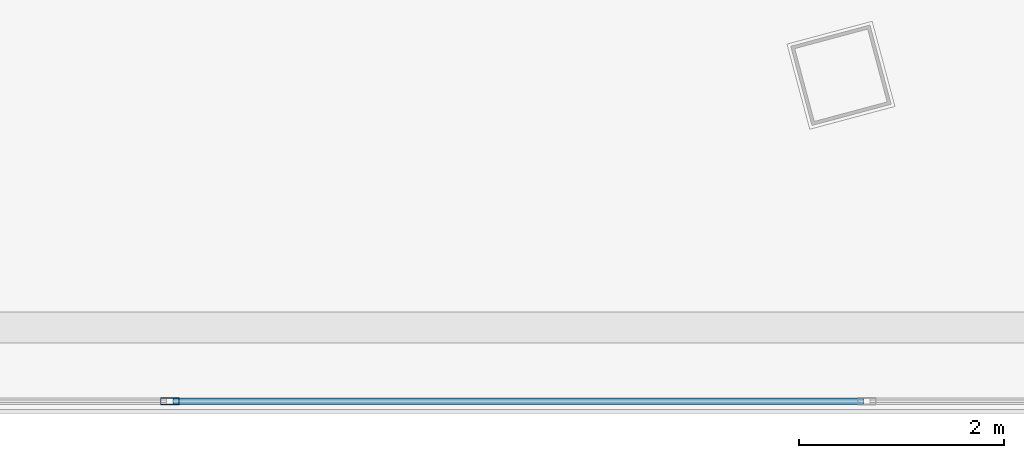
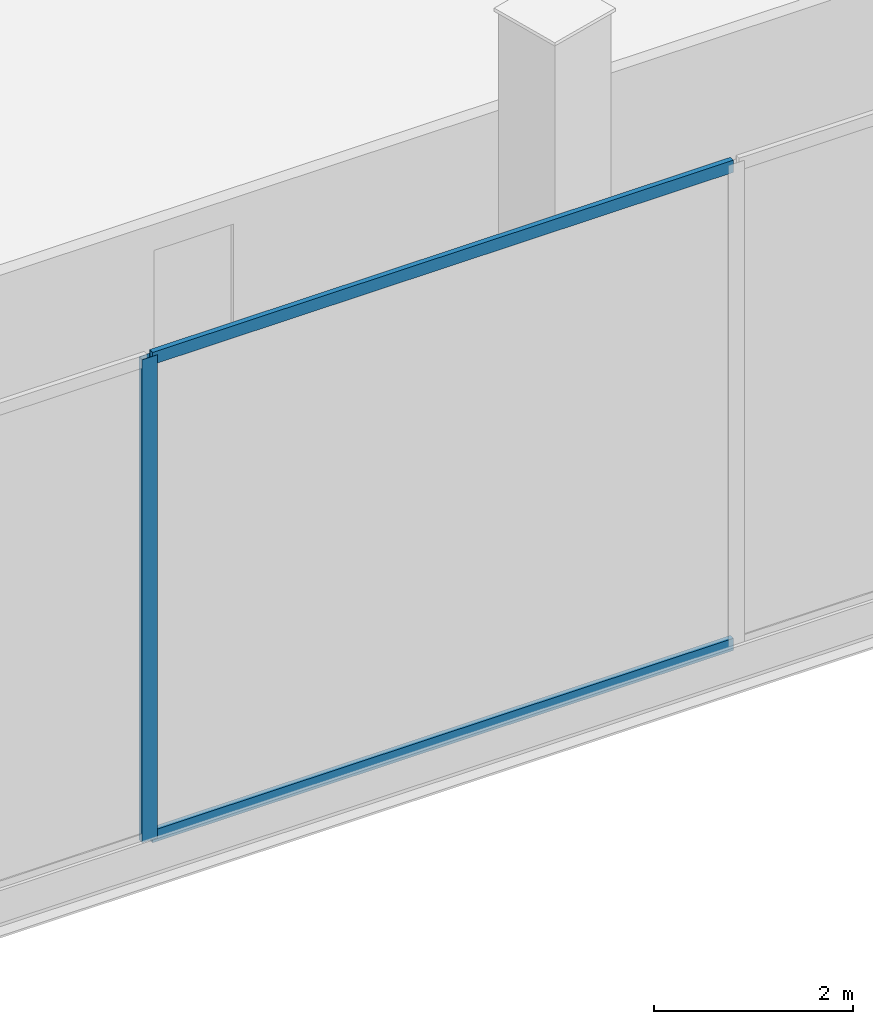
# One storey, part 9 of 41: 3 members, 1 element without a shape of its own.
"""IFC4 building model written with IfcOpenShell, lengths in metres."""

from ifc_helpers import new_model, si_unit, direction, frame, origin, origin_2d, place, context, subcontext, project, spatial, hollow_rectangle, extrude, source, transform, mapped, material, layer, layer_set, material_profile, profile_set, type_object, element, aggregate, save


model = new_model("IFC4")

# Units and contexts
model_context = context("Model", 3, precision=1e-05, world=origin(), true_north=direction((0.0, 1.0)))
body_context = subcontext(model_context, "Body", "Model", "MODEL_VIEW")
ifc_project = project(units=[si_unit("LENGTHUNIT", "METRE"), si_unit("AREAUNIT", "SQUARE_METRE"), si_unit("VOLUMEUNIT", "CUBIC_METRE"), si_unit("PLANEANGLEUNIT", "RADIAN"), si_unit("MASSUNIT", "GRAM", prefix="KILO"), si_unit("THERMODYNAMICTEMPERATUREUNIT", "KELVIN"), si_unit("POWERUNIT", "WATT")], contexts=[model_context])

# Site, building, storey
site_placement = place(None, origin())
site = spatial("IfcSite", under=ifc_project, at=site_placement, CompositionType="ELEMENT")
building_placement = place(site_placement, origin())
building = spatial("IfcBuilding", under=site, at=building_placement, Name="Yunzhuo Pagoda Commons", CompositionType="ELEMENT")
storey_placement = place(building_placement, frame((0.0, 0.0, 19.199951171875)))
storey = spatial("IfcBuildingStorey", under=building, at=storey_placement, Name="L05", CompositionType="ELEMENT", Elevation=19.199951171875)

# Curtain wall, members
ifc_material = material(Name="Anodized aluminium 6063-T6", Category="aluminium")
ifc_layer = layer(ifc_material, 0.179931640625)
ifc_layer_set = layer_set([ifc_layer], Name="Anodized aluminium 6063-T6")
curtain_wall_type = type_object("IfcCurtainWallType", Name="CW-POD Waterfront Podium Curtain Wall", PredefinedType="NOTDEFINED", material=ifc_layer_set)
curtain_wall_placement = place(storey_placement, origin())
curtain_wall = element("IfcCurtainWall", 1, at=curtain_wall_placement, inside=storey, type_object=curtain_wall_type, Name="L05 curtain wall CW-L05-S3", PredefinedType="NOTDEFINED")
ifc_material_profile_1 = material_profile(ifc_material, hollow_rectangle(XDim=0.06005859375, YDim=0.14990234375, WallThickness=0.00390625, at=origin_2d()), Name="Anodized aluminium 6063-T6")
ifc_profile_set_1 = profile_set([ifc_material_profile_1], Name="Anodized aluminium 6063-T6")
member_type_1 = type_object("IfcMemberType", Name="CW-POD-T Transom RHS 150x60x4", PredefinedType="USERDEFINED", material=ifc_profile_set_1)
shared_shape_1 = source(origin(), body_context, "Body", "SweptSolid", [
    extrude(hollow_rectangle(XDim=0.06005859375, YDim=0.14990234375, WallThickness=0.00390625, at=origin_2d()), origin(), (0.0, 0.0, 1.0), 6.735107421875),
])
member_1_placement = place(storey_placement, frame((48.032470703125, 6.080078125, 0.0302734375), z_axis=(1.0, 0.0, 0.0), x_axis=(0.0, 1.0, 0.0)))
member_1 = element("IfcMember", 2, at=member_1_placement, type_object=member_type_1, Name="CW transom 3.1", ObjectType="TRANSOM", PredefinedType="USERDEFINED", context=body_context, shape_type="MappedRepresentation", body=[
    mapped(shared_shape_1, transform((0.0, 0.0, 0.0), scale=1.0)),
])
member_2_placement = place(storey_placement, frame((48.032470703125, 6.080078125, 5.89013671875), z_axis=(1.0, 0.0, 0.0), x_axis=(0.0, 1.0, 0.0)))
member_2 = element("IfcMember", 3, at=member_2_placement, type_object=member_type_1, Name="CW transom 3.2", ObjectType="TRANSOM", PredefinedType="USERDEFINED", context=body_context, shape_type="MappedRepresentation", body=[
    mapped(shared_shape_1, transform((0.0, 0.0, 0.0), scale=1.0)),
])
ifc_material_profile_2 = material_profile(ifc_material, hollow_rectangle(XDim=0.06494140625, YDim=0.179931640625, WallThickness=0.00390625, at=origin_2d()), Name="Anodized aluminium 6063-T6")
ifc_profile_set_2 = profile_set([ifc_material_profile_2], Name="Anodized aluminium 6063-T6")
member_type_2 = type_object("IfcMemberType", Name="CW-POD-M Mullion RHS 180x65x4", PredefinedType="MULLION", material=ifc_profile_set_2)
shared_shape_2 = source(origin(), body_context, "Body", "SweptSolid", [
    extrude(hollow_rectangle(XDim=0.06494140625, YDim=0.179931640625, WallThickness=0.00390625, at=origin_2d()), origin(), (0.0, 0.0, 1.0), 5.920166015625),
])
member_3_placement = place(storey_placement, frame((48.0, 6.080078125, 0.0), z_axis=(0.0, 0.0, 1.0), x_axis=(0.0, 1.0, 0.0)))
member_3 = element("IfcMember", 4, at=member_3_placement, type_object=member_type_2, Name="CW mullion 3", PredefinedType="MULLION", context=body_context, shape_type="MappedRepresentation", body=[
    mapped(shared_shape_2, transform((0.0, 0.0, 0.0), scale=1.0)),
])
aggregate(curtain_wall, [member_3, member_1, member_2])

save(model, "model.ifc")
